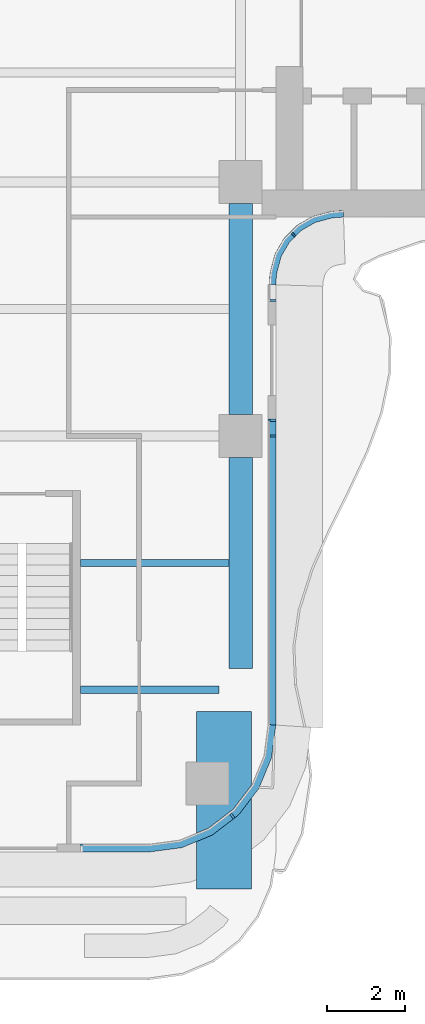
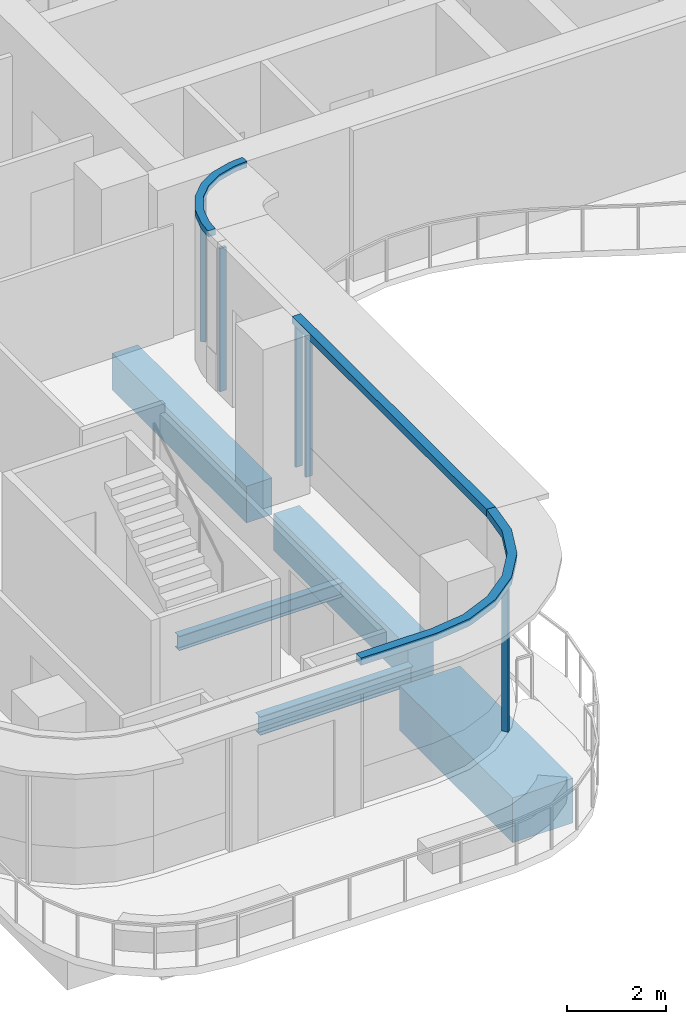
# One storey, part 5 of 17: 8 members, 5 beams, 4 elements without a shape of their own.
"""IFC4 building model written with IfcOpenShell, lengths in metres."""

from ifc_helpers import new_model, si_unit, direction, frame, origin, origin_2d, place, context, subcontext, project, spatial, polyline, rectangle, i_section, outline, extrude, source, transform, mapped, material, layer, layer_set, material_profile, profile_set, type_object, element, aggregate, save


model = new_model("IFC4")

# Units and contexts
model_context = context("Model", 3, precision=1e-05, world=origin(), true_north=direction((0.0, 1.0)))
body_context = subcontext(model_context, "Body", "Model", "MODEL_VIEW")
ifc_project = project(units=[si_unit("LENGTHUNIT", "METRE"), si_unit("AREAUNIT", "SQUARE_METRE"), si_unit("VOLUMEUNIT", "CUBIC_METRE"), si_unit("PLANEANGLEUNIT", "RADIAN"), si_unit("MASSUNIT", "GRAM", prefix="KILO")], contexts=[model_context])

# Site, building, storey
site_placement = place(None, origin())
site = spatial("IfcSite", under=ifc_project, at=site_placement, CompositionType="ELEMENT")
building_placement = place(site_placement, origin())
building = spatial("IfcBuilding", under=site, at=building_placement, Name="Trellis Farm Tower", CompositionType="ELEMENT")
storey_placement = place(building_placement, frame((0.0, 0.0, 244.10009765625)))
storey = spatial("IfcBuildingStorey", under=building, at=storey_placement, Name="L54", CompositionType="ELEMENT", Elevation=244.10009765625)

# Curtain wall, member
ifc_material_1 = material(Name="Aluminium and glass curtain wall", Category="aluminium")
ifc_layer_1 = layer(ifc_material_1, 0.18994140625)
ifc_layer_set_1 = layer_set([ifc_layer_1], Name="RIBBON CURTAIN WALL CW1")
curtain_wall_type_1 = type_object("IfcCurtainWallType", Name="RIBBON CURTAIN WALL CW1", PredefinedType="NOTDEFINED", material=ifc_layer_set_1)
placement_1 = place(storey_placement, origin())
curtain_wall_1 = element("IfcCurtainWall", 1, at=placement_1, inside=storey, type_object=curtain_wall_type_1, Name="CW1 004", PredefinedType="NOTDEFINED")
ifc_material_2 = material(Name="Aluminium extrusion 6063-T6", Category="aluminium")
ifc_layer_2 = layer(ifc_material_2, 0.199951171875)
ifc_layer_set_2 = layer_set([ifc_layer_2], Name="Aluminium extrusion 6063-T6")
member_type_1 = type_object("IfcMemberType", Name="CW1 TRANSOM 200x180", PredefinedType="USERDEFINED", material=ifc_layer_set_2)
placement_2 = place(storey_placement, frame((0.0, 0.0, 3.52001953125)))
member_1 = element("IfcMember", 2, at=placement_2, type_object=member_type_1, Name="TR1 004", ObjectType="TRANSOM", PredefinedType="USERDEFINED", context=body_context, shape_type="SweptSolid", body=[
    extrude(outline(polyline([(1.5, -22.75), (3.25, -22.75), (4.091064453125, -22.63916015625), (4.875, -22.314697265625), (5.548095703125, -21.798095703125), (6.064697265625, -21.125), (6.38916015625, -20.341064453125), (6.5, -19.5), (6.300048828125, -19.48681640625), (6.1943359375, -20.2890625), (5.889892578125, -21.024169921875), (5.405517578125, -21.655517578125), (4.774169921875, -22.139892578125), (4.0390625, -22.4443359375), (3.23681640625, -22.550048828125), (1.5, -22.550048828125), (1.5, -22.75)])), origin(), (0.0, 0.0, 1.0), 0.179931640625),
])

# Beams
ifc_material_3 = material(Name="Steel S355", Category="steel")
ifc_material_profile_1 = material_profile(ifc_material_3, i_section(OverallWidth=0.17138671875, OverallDepth=0.35498046875, WebThickness=0.00732421875, FlangeThickness=0.011474609375, FilletRadius=0.01025390625, at=origin_2d()), Name="UB 356x171x51")
ifc_profile_set_1 = profile_set([ifc_material_profile_1], Name="Steel S355")
beam_type_1 = type_object("IfcBeamType", Name="UB 356x171x51 joist", PredefinedType="JOIST", material=ifc_profile_set_1)
shared_shape_1 = source(origin(), body_context, "Body", "SweptSolid", [
    extrude(i_section(OverallWidth=0.17138671875, OverallDepth=0.35498046875, WebThickness=0.00732421875, FlangeThickness=0.011474609375, FilletRadius=0.01025390625, at=origin_2d()), origin(), (0.0, 0.0, 1.0), 3.800048828125),
])
beam_1_placement = place(storey_placement, frame((1.5, -15.35009765625, -0.377685546875), z_axis=(1.0, 0.0, 0.0), x_axis=(0.0, 1.0, 0.0)))
element("IfcBeam", 3, at=beam_1_placement, inside=storey, type_object=beam_type_1, Name="Floor beam", PredefinedType="JOIST", context=body_context, shape_type="MappedRepresentation", body=[
    mapped(shared_shape_1, transform((0.0, 0.0, 0.0))),
])
ifc_material_profile_2 = material_profile(ifc_material_3, i_section(OverallWidth=0.1904296875, OverallDepth=0.45703125, WebThickness=0.009033203125, FlangeThickness=0.014404296875, FilletRadius=0.01025390625, at=origin_2d()), Name="UB 457x191x74")
ifc_profile_set_2 = profile_set([ifc_material_profile_2], Name="Steel S355")
beam_type_2 = type_object("IfcBeamType", Name="UB 457x191x74", PredefinedType="BEAM", material=ifc_profile_set_2)
shared_shape_2 = source(origin(), body_context, "Body", "SweptSolid", [
    extrude(i_section(OverallWidth=0.1904296875, OverallDepth=0.45703125, WebThickness=0.009033203125, FlangeThickness=0.014404296875, FilletRadius=0.01025390625, at=origin_2d()), origin(), (0.0, 0.0, 1.0), 3.550048828125),
])
beam_2_placement = place(storey_placement, frame((1.5, -18.60009765625, -0.4287109375), z_axis=(1.0, 0.0, 0.0), x_axis=(0.0, 1.0, 0.0)))
element("IfcBeam", 4, at=beam_2_placement, inside=storey, type_object=beam_type_2, Name="Girder", PredefinedType="BEAM", context=body_context, shape_type="MappedRepresentation", body=[
    mapped(shared_shape_2, transform((0.0, 0.0, 0.0))),
])
ifc_material_4 = material(Name="Concrete C60/75", Category="concrete")
ifc_material_profile_3 = material_profile(ifc_material_4, rectangle(XDim=0.60009765625, YDim=0.89990234375, at=origin_2d()), Name="RC spandrel beam 600x900 C60/75")
ifc_profile_set_3 = profile_set([ifc_material_profile_3], Name="Concrete C60/75")
beam_type_3 = type_object("IfcBeamType", Name="RC spandrel beam 600x900 C60/75", PredefinedType="SPANDREL", material=ifc_profile_set_3)
shared_shape_3 = source(origin(), body_context, "Body", "SweptSolid", [
    extrude(rectangle(XDim=0.60009765625, YDim=0.89990234375, at=origin_2d()), origin(), (0.0, 0.0, 1.0), 5.400146484375),
])
for number, where, z_axis, x_axis, name in (
    (5, (5.60009765625, -18.050048828125, -0.650146484375), (0.0, 1.0, 0.0), (-1.0, 0.0, 0.0), "Girder"),
    (6, (5.60009765625, -11.550048828125, -0.650146484375), (0.0, 1.0, 0.0), (-1.0, 0.0, 0.0), "Girder"),
):
    element("IfcBeam", number, at=place(storey_placement, frame(where, z_axis=z_axis, x_axis=x_axis)), inside=storey, type_object=beam_type_3, Name=name, PredefinedType="SPANDREL", context=body_context, shape_type="MappedRepresentation", body=[
        mapped(shared_shape_3, transform((0.0, 0.0, 0.0))),
    ])
ifc_material_5 = material(Name="Concrete C80/95", Category="concrete")
ifc_material_profile_4 = material_profile(ifc_material_5, rectangle(XDim=1.39990234375, YDim=1.10009765625, at=origin_2d()), Name="RC transfer beam 1400x1100 C80/95")
ifc_profile_set_4 = profile_set([ifc_material_profile_4], Name="Concrete C80/95")
beam_type_4 = type_object("IfcBeamType", Name="RC transfer beam 1400x1100 C80/95", PredefinedType="BEAM", material=ifc_profile_set_4)
shared_shape_4 = source(origin(), body_context, "Body", "SweptSolid", [
    extrude(rectangle(XDim=1.39990234375, YDim=1.10009765625, at=origin_2d()), origin(), (0.0, 0.0, 1.0), 4.550048828125),
])
beam_3_placement = place(storey_placement, frame((5.175048828125, -23.699951171875, -0.75), z_axis=(0.0, 1.0, 0.0), x_axis=(-1.0, 0.0, 0.0)))
element("IfcBeam", 7, at=beam_3_placement, inside=storey, type_object=beam_type_4, Name="Transfer girder", PredefinedType="BEAM", context=body_context, shape_type="MappedRepresentation", body=[
    mapped(shared_shape_4, transform((0.0, 0.0, 0.0))),
])

# Member
ifc_material_profile_5 = material_profile(ifc_material_2, rectangle(XDim=0.06005859375, YDim=0.14990234375, at=origin_2d()), Name="MULLION 60x150")
ifc_profile_set_5 = profile_set([ifc_material_profile_5], Name="Aluminium extrusion 6063-T6")
member_type_2 = type_object("IfcMemberType", Name="CW1 MULLION 60x150", PredefinedType="MULLION", material=ifc_profile_set_5)
shared_shape_5 = source(origin(), body_context, "Body", "SweptSolid", [
    extrude(rectangle(XDim=0.06005859375, YDim=0.14990234375, at=origin_2d()), origin(), (0.0, 0.0, 1.0), 3.52001953125),
])
member_2_placement = place(storey_placement, frame((5.385498046875, -21.828369140625, 0.0), z_axis=(0.0, 0.0, 1.0), x_axis=(0.793353340291, 0.608761429009, 0.0)))
member_2 = element("IfcMember", 8, at=member_2_placement, type_object=member_type_2, Name="MU1 004-02", PredefinedType="MULLION", context=body_context, shape_type="MappedRepresentation", body=[
    mapped(shared_shape_5, transform((0.0, 0.0, 0.0))),
])

aggregate(curtain_wall_1, [member_2, member_1])

# Curtain wall, members
curtain_wall_2 = element("IfcCurtainWall", 9, at=placement_1, inside=storey, type_object=curtain_wall_type_1, Name="CW1 005", PredefinedType="NOTDEFINED")
member_3_placement = place(storey_placement, frame((6.425048828125, -12.10009765625, 0.0), z_axis=(0.0, 0.0, 1.0), x_axis=(0.0, 1.0, 0.0)))
member_3 = element("IfcMember", 10, at=member_3_placement, type_object=member_type_2, Name="MU1 005-01", PredefinedType="MULLION", context=body_context, shape_type="MappedRepresentation", body=[
    mapped(shared_shape_5, transform((0.0, 0.0, 0.0))),
])
member_4_placement = place(storey_placement, frame((6.425048828125, -11.69580078125, 0.0), z_axis=(0.0, 0.0, 1.0), x_axis=(0.0, 1.0, 0.0)))
member_4 = element("IfcMember", 11, at=member_4_placement, type_object=member_type_2, Name="MU1 005-02", PredefinedType="MULLION", context=body_context, shape_type="MappedRepresentation", body=[
    mapped(shared_shape_5, transform((0.0, 0.0, 0.0))),
])

# Curtain wall, member
curtain_wall_3 = element("IfcCurtainWall", 12, at=placement_1, inside=storey, type_object=curtain_wall_type_1, Name="CW1 006", PredefinedType="NOTDEFINED")
member_5_placement = place(storey_placement, frame((6.425048828125, -8.6357421875, 0.0), z_axis=(0.0, 0.0, 1.0), x_axis=(0.0, 1.0, 0.0)))
member_5 = element("IfcMember", 13, at=member_5_placement, type_object=member_type_2, Name="MU1 006-01", PredefinedType="MULLION", context=body_context, shape_type="MappedRepresentation", body=[
    mapped(shared_shape_5, transform((0.0, 0.0, 0.0))),
])
aggregate(curtain_wall_3, [member_5])

# Curtain wall, members
ifc_layer_3 = layer(ifc_material_1, 0.166015625)
ifc_layer_set_3 = layer_set([ifc_layer_3], Name="WINTER GARDEN CURTAIN WALL CW3")
curtain_wall_type_2 = type_object("IfcCurtainWallType", Name="WINTER GARDEN CURTAIN WALL CW3", PredefinedType="NOTDEFINED", material=ifc_layer_set_3)
curtain_wall_4 = element("IfcCurtainWall", 14, at=placement_1, inside=storey, type_object=curtain_wall_type_2, Name="CW3 002", PredefinedType="NOTDEFINED")
ifc_material_profile_6 = material_profile(ifc_material_2, rectangle(XDim=0.050048828125, YDim=0.1201171875, at=origin_2d()), Name="MULLION 50x120")
ifc_profile_set_6 = profile_set([ifc_material_profile_6], Name="Aluminium extrusion 6063-T6")
member_type_3 = type_object("IfcMemberType", Name="CW3 MULLION 50x120", PredefinedType="MULLION", material=ifc_profile_set_6)
shared_shape_6 = source(origin(), body_context, "Body", "SweptSolid", [
    extrude(rectangle(XDim=0.050048828125, YDim=0.1201171875, at=origin_2d()), origin(), (0.0, 0.0, 1.0), 3.5498046875),
])
member_6_placement = place(storey_placement, frame((6.953125, -6.953125, 0.0), z_axis=(0.0, 0.0, 1.0), x_axis=(0.707106781187, 0.707106781187, 0.0)))
member_6 = element("IfcMember", 15, at=member_6_placement, type_object=member_type_3, Name="MU3 002-01", PredefinedType="MULLION", context=body_context, shape_type="MappedRepresentation", body=[
    mapped(shared_shape_6, transform((0.0, 0.0, 0.0))),
])
ifc_layer_4 = layer(ifc_material_2, 0.169921875)
ifc_layer_set_4 = layer_set([ifc_layer_4], Name="Aluminium extrusion 6063-T6")
member_type_4 = type_object("IfcMemberType", Name="CW3 TRANSOM 170x150", PredefinedType="USERDEFINED", material=ifc_layer_set_4)
shared_shape_7 = source(origin(), body_context, "Body", "SweptSolid", [
    extrude(outline(polyline([(6.5, -8.2314453125), (6.513916015625, -8.01953125), (6.527587890625, -7.91552734375), (6.63671875, -7.508544921875), (6.846923828125, -7.144287109375), (7.144287109375, -6.846923828125), (7.508544921875, -6.63671875), (7.91552734375, -6.527587890625), (8.01953125, -6.513916015625), (8.2314453125, -6.5), (8.225830078125, -6.330078125), (8.0029296875, -6.3447265625), (7.88232421875, -6.360595703125), (7.44287109375, -6.478271484375), (7.0400390625, -6.7109375), (6.7109375, -7.0400390625), (6.478271484375, -7.44287109375), (6.360595703125, -7.88232421875), (6.3447265625, -8.0029296875), (6.330078125, -8.225830078125), (6.5, -8.2314453125)])), origin(), (0.0, 0.0, 1.0), 0.150146484375),
])
member_7_placement = place(storey_placement, frame((0.0, 0.0, 3.5498046875)))
member_7 = element("IfcMember", 16, at=member_7_placement, type_object=member_type_4, Name="TR3 002", ObjectType="TRANSOM", PredefinedType="USERDEFINED", context=body_context, shape_type="MappedRepresentation", body=[
    mapped(shared_shape_7, transform((0.0, 0.0, 0.0))),
])
aggregate(curtain_wall_4, [member_6, member_7])

# Member
shared_shape_8 = source(origin(), body_context, "Body", "SweptSolid", [
    extrude(outline(polyline([(6.5, -19.5), (6.5, -11.665771484375), (6.300048828125, -11.665771484375), (6.300048828125, -19.48681640625), (6.5, -19.5)])), origin(), (0.0, 0.0, 1.0), 0.179931640625),
])
member_8 = element("IfcMember", 17, at=placement_2, type_object=member_type_1, Name="TR1 005", ObjectType="TRANSOM", PredefinedType="USERDEFINED", context=body_context, shape_type="MappedRepresentation", body=[
    mapped(shared_shape_8, transform((0.0, 0.0, 0.0))),
])

aggregate(curtain_wall_2, [member_3, member_4, member_8])

save(model, "model.ifc")
